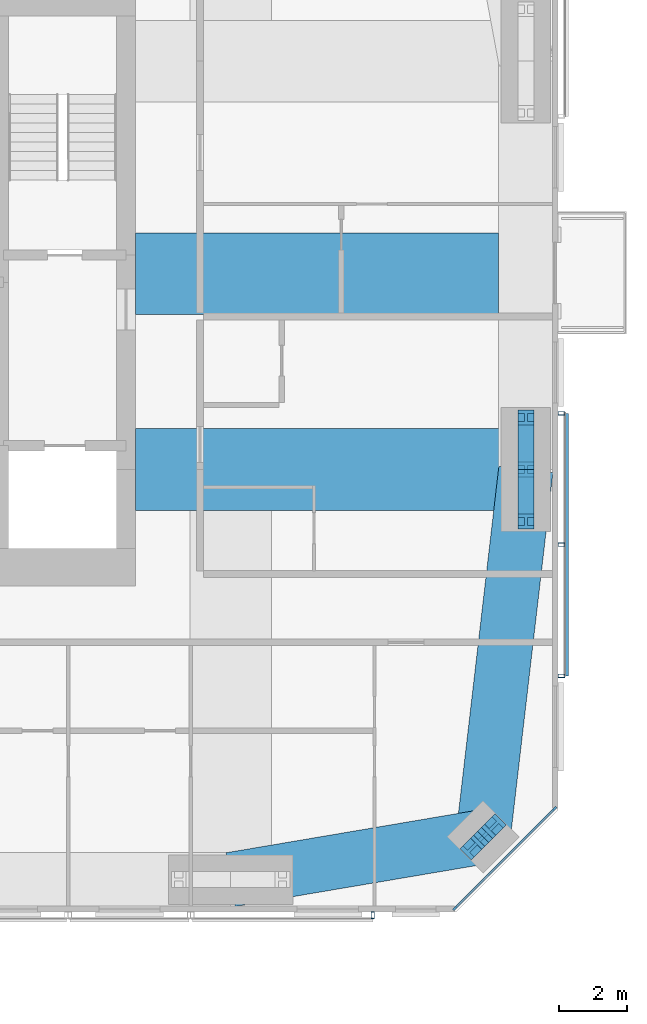
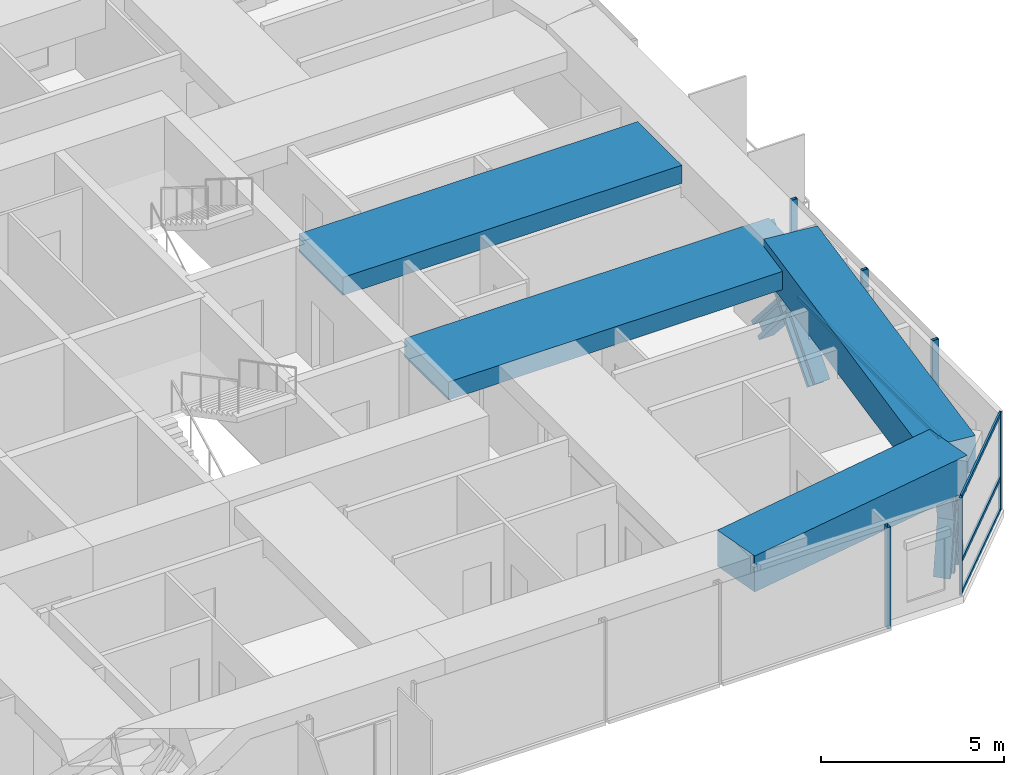
# One storey, part 7 of 18: 18 members, 4 beams, 3 elements without a shape of their own.
"""IFC4 building model written with IfcOpenShell, lengths in metres."""

from ifc_helpers import new_model, si_unit, direction, frame, origin, origin_2d, place, context, subcontext, project, spatial, rectangle, hollow_rectangle, i_section, extrude, material, material_profile, profile_set, type_object, element, aggregate, save


model = new_model("IFC4")

# Units and contexts
model_context = context("Model", 3, precision=1e-05, world=origin(), true_north=direction((0.0, 1.0)))
body_context = subcontext(model_context, "Body", "Model", "MODEL_VIEW")
ifc_project = project(units=[si_unit("LENGTHUNIT", "METRE"), si_unit("AREAUNIT", "SQUARE_METRE"), si_unit("VOLUMEUNIT", "CUBIC_METRE"), si_unit("PLANEANGLEUNIT", "RADIAN"), si_unit("MASSUNIT", "GRAM", prefix="KILO")], contexts=[model_context])

# Site, building, storey
site_placement = place(None, origin())
site = spatial("IfcSite", under=ifc_project, at=site_placement, CompositionType="ELEMENT")
building_placement = place(site_placement, origin())
building = spatial("IfcBuilding", under=site, at=building_placement, Name="Jalousie Tower", CompositionType="ELEMENT")
storey_placement = place(building_placement, frame((0.0, 0.0, 235.449951171875)))
storey = spatial("IfcBuildingStorey", under=building, at=storey_placement, Name="L64", CompositionType="ELEMENT", Elevation=235.449951171875)

# Curtain wall, members
ifc_material_1 = material(Name="Aluminium curtain wall", Category="aluminium")
curtain_wall_type_1 = type_object("IfcCurtainWallType", Name="CORNER WINDOW WALL", PredefinedType="USERDEFINED", material=ifc_material_1)
curtain_wall_1_placement = place(storey_placement, origin())
curtain_wall_1 = element("IfcCurtainWall", 1, at=curtain_wall_1_placement, inside=storey, type_object=curtain_wall_type_1, Name="Corner Window Wall L64 2", ObjectType="CORNER WINDOW WALL", PredefinedType="USERDEFINED")
ifc_material_2 = material(Name="Aluminium mullion", Category="aluminium")
ifc_material_profile_1 = material_profile(ifc_material_2, rectangle(XDim=0.06005859375, YDim=0.14990234375, at=origin_2d()), Name="MULLION 60x150")
ifc_profile_set_1 = profile_set([ifc_material_profile_1], Name="Aluminium mullion")
member_type_1 = type_object("IfcMemberType", Name="CORNER WINDOW WALL MULLION", PredefinedType="MULLION", material=ifc_profile_set_1)
member_1_placement = place(storey_placement, frame((53.469970703125, 0.108642578125, 0.0), z_axis=(0.0, 0.0, 1.0), x_axis=(-0.707106781187, 0.707106781187, 0.0)))
member_1 = element("IfcMember", 2, at=member_1_placement, type_object=member_type_1, Name="CW-C mullion 1", PredefinedType="MULLION", context=body_context, shape_type="SweptSolid", body=[
    extrude(rectangle(XDim=0.06005859375, YDim=0.14990234375, at=origin_2d()), origin(), (0.0, 0.0, 1.0), 3.260009765625),
])
member_2_placement = place(storey_placement, frame((56.391357421875, 3.030029296875, 0.0), z_axis=(0.0, 0.0, 1.0), x_axis=(-0.707106781187, 0.707106781187, 0.0)))
member_2 = element("IfcMember", 3, at=member_2_placement, type_object=member_type_1, Name="CW-C mullion 2", PredefinedType="MULLION", context=body_context, shape_type="SweptSolid", body=[
    extrude(rectangle(XDim=0.06005859375, YDim=0.14990234375, at=origin_2d()), origin(), (0.0, 0.0, 1.0), 3.260009765625),
])
ifc_material_3 = material(Name="Aluminium transom", Category="aluminium")
ifc_material_profile_2 = material_profile(ifc_material_3, rectangle(XDim=0.06005859375, YDim=0.1201171875, at=origin_2d()), Name="TRANSOM 60x120")
ifc_profile_set_2 = profile_set([ifc_material_profile_2], Name="Aluminium transom")
member_type_2 = type_object("IfcMemberType", Name="CORNER WINDOW WALL TRANSOM", PredefinedType="USERDEFINED", material=ifc_profile_set_2)
member_3_placement = place(storey_placement, frame((53.4912109375, 0.1298828125, 0.030029296875), z_axis=(0.707106781187, 0.707106781187, 0.0), x_axis=(-0.707106781187, 0.707106781187, 0.0)))
member_3 = element("IfcMember", 4, at=member_3_placement, type_object=member_type_2, Name="CW-C transom 1.1", ObjectType="TRANSOM", PredefinedType="USERDEFINED", context=body_context, shape_type="SweptSolid", body=[
    extrude(rectangle(XDim=0.06005859375, YDim=0.1201171875, at=origin_2d()), origin(), (0.0, 0.0, 1.0), 4.0712890625),
])
member_4_placement = place(storey_placement, frame((53.4912109375, 0.1298828125, 1.10009765625), z_axis=(0.707106781187, 0.707106781187, 0.0), x_axis=(-0.707106781187, 0.707106781187, 0.0)))
member_4 = element("IfcMember", 5, at=member_4_placement, type_object=member_type_2, Name="CW-C transom 1.2", ObjectType="TRANSOM", PredefinedType="USERDEFINED", context=body_context, shape_type="SweptSolid", body=[
    extrude(rectangle(XDim=0.06005859375, YDim=0.1201171875, at=origin_2d()), origin(), (0.0, 0.0, 1.0), 4.0712890625),
])
member_5_placement = place(storey_placement, frame((53.4912109375, 0.1298828125, 3.22998046875), z_axis=(0.707106781187, 0.707106781187, 0.0), x_axis=(-0.707106781187, 0.707106781187, 0.0)))
member_5 = element("IfcMember", 6, at=member_5_placement, type_object=member_type_2, Name="CW-C transom 1.3", ObjectType="TRANSOM", PredefinedType="USERDEFINED", context=body_context, shape_type="SweptSolid", body=[
    extrude(rectangle(XDim=0.06005859375, YDim=0.1201171875, at=origin_2d()), origin(), (0.0, 0.0, 1.0), 4.0712890625),
])
aggregate(curtain_wall_1, [member_1, member_2, member_3, member_4, member_5])

# Members
ifc_material_4 = material(Name="Steel ASTM A992 Grade 50", Category="steel")
ifc_material_profile_3 = material_profile(ifc_material_4, i_section(OverallWidth=0.472412109375, OverallDepth=0.5791015625, WebThickness=0.094970703125, FlangeThickness=0.1298828125, at=origin_2d()), Name="W14X808")
ifc_profile_set_3 = profile_set([ifc_material_profile_3], Name="Steel ASTM A992 Grade 50")
member_type_3 = type_object("IfcMemberType", Name="PERIMETER BRACE W14X808", PredefinedType="BRACE", material=ifc_profile_set_3)
for number, where, z_axis, x_axis, name in (
    (7, (53.974609375, 1.888916015625, -0.599853515625), (0.17618653952, 0.176051427143, 0.968485517854), (-0.706835495285, 0.707377963048, 0.0), "Perimeter brace 05 L64 part 1"),
    (8, (54.29296875, 2.20703125, 1.150146484375), (0.176051427143, 0.17618653952, 0.968485517854), (-0.707377963048, 0.706835495285, 0.0), "Perimeter brace 05 L64 part 2"),
    (9, (54.611083984375, 2.525390625, -0.599853515625), (-0.176051427143, -0.17618653952, 0.968485517854), (0.707377963048, -0.706835495285, 0.0), "Perimeter brace 05 L64 part 3"),
    (10, (54.29296875, 2.20703125, 1.150146484375), (-0.17618653952, -0.176051427143, 0.968485517854), (0.706835495285, -0.707377963048, 0.0), "Perimeter brace 05 L64 part 4"),
):
    element("IfcMember", number, at=place(storey_placement, frame(where, z_axis=z_axis, x_axis=x_axis)), inside=storey, type_object=member_type_3, Name=name, PredefinedType="BRACE", context=body_context, shape_type="SweptSolid", body=[
        extrude(i_section(OverallWidth=0.472412109375, OverallDepth=0.5791015625, WebThickness=0.094970703125, FlangeThickness=0.1298828125, at=origin_2d()), origin(), (0.0, 0.0, 1.0), 1.806884765625),
    ])
for number, where, z_axis, x_axis, name in (
    (11, (55.550048828125, 11.47509765625, -0.599853515625), (0.0, 0.65695436777, 0.753930340726), (-1.0, 0.0, 0.0), "Perimeter brace 06 L64 part 1"),
    (12, (55.550048828125, 13.0, 1.150146484375), (0.0, 0.65695436777, 0.753930340726), (-1.0, 0.0, 0.0), "Perimeter brace 06 L64 part 2"),
    (13, (55.550048828125, 14.52490234375, -0.599853515625), (0.0, -0.65695436777, 0.753930340726), (1.0, 0.0, 0.0), "Perimeter brace 06 L64 part 3"),
    (14, (55.550048828125, 13.0, 1.150146484375), (0.0, -0.65695436777, 0.753930340726), (1.0, 0.0, 0.0), "Perimeter brace 06 L64 part 4"),
):
    element("IfcMember", number, at=place(storey_placement, frame(where, z_axis=z_axis, x_axis=x_axis)), inside=storey, type_object=member_type_3, Name=name, PredefinedType="BRACE", context=body_context, shape_type="SweptSolid", body=[
        extrude(i_section(OverallWidth=0.472412109375, OverallDepth=0.5791015625, WebThickness=0.094970703125, FlangeThickness=0.1298828125, at=origin_2d()), origin(), (0.0, 0.0, 1.0), 2.3212890625),
    ])

# Beams
ifc_material_5 = material(Name="Concrete f'c 40 MPa", Category="concrete")
ifc_material_profile_4 = material_profile(ifc_material_5, rectangle(XDim=1.60009765625, YDim=1.199951171875, at=origin_2d()), Name="RC 1600x1200")
ifc_profile_set_4 = profile_set([ifc_material_profile_4], Name="Concrete f'c 40 MPa")
beam_type_1 = type_object("IfcBeamType", Name="RC BEAM 1600x1200", PredefinedType="BEAM", material=ifc_profile_set_4)
beam_1_placement = place(storey_placement, frame((46.875, 0.949951171875, 2.900146484375), z_axis=(0.985942997446, 0.167082033105, 0.0), x_axis=(-0.167082033105, 0.985942997446, 0.0)))
element("IfcBeam", 15, at=beam_1_placement, inside=storey, type_object=beam_type_1, Name="Edge band beam 04-05 under L65", PredefinedType="BEAM", context=body_context, shape_type="SweptSolid", body=[
    extrude(rectangle(XDim=1.60009765625, YDim=1.199951171875, at=origin_2d()), origin(), (0.0, 0.0, 1.0), 7.523681640625),
])
beam_2_placement = place(storey_placement, frame((54.29296875, 2.20703125, 2.900146484375), z_axis=(0.115690063472, 0.993285361421, 0.0), x_axis=(-0.993285361421, 0.115690063472, 0.0)))
element("IfcBeam", 16, at=beam_2_placement, inside=storey, type_object=beam_type_1, Name="Edge band beam 05-06 under L65", PredefinedType="BEAM", context=body_context, shape_type="SweptSolid", body=[
    extrude(rectangle(XDim=1.60009765625, YDim=1.199951171875, at=origin_2d()), origin(), (0.0, 0.0, 1.0), 10.865966796875),
])
ifc_material_6 = material(Name="Concrete f'c 40 MPa", Category="concrete")
ifc_material_profile_5 = material_profile(ifc_material_6, rectangle(XDim=2.39990234375, YDim=0.60009765625, at=origin_2d()), Name="RC 2400x600")
ifc_profile_set_5 = profile_set([ifc_material_profile_5], Name="Concrete f'c 40 MPa")
beam_type_2 = type_object("IfcBeamType", Name="RC BEAM 2400x600", PredefinedType="BEAM", material=ifc_profile_set_5)
beam_3_placement = place(storey_placement, frame((55.550048828125, 13.0, 2.9599609375), z_axis=(-1.0, 0.0, 0.0), x_axis=(0.0, -1.0, 0.0)))
element("IfcBeam", 17, at=beam_3_placement, inside=storey, type_object=beam_type_2, Name="Floor band beam under L65", PredefinedType="BEAM", context=body_context, shape_type="SweptSolid", body=[
    extrude(rectangle(XDim=2.39990234375, YDim=0.60009765625, at=origin_2d()), origin(), (0.0, 0.0, 1.0), 11.47509765625),
])
beam_4_placement = place(storey_placement, frame((44.074951171875, 18.75, 2.9599609375), z_axis=(1.0, 0.0, 0.0), x_axis=(0.0, 1.0, 0.0)))
element("IfcBeam", 18, at=beam_4_placement, inside=storey, type_object=beam_type_2, Name="Floor band beam under L65", PredefinedType="BEAM", context=body_context, shape_type="SweptSolid", body=[
    extrude(rectangle(XDim=2.39990234375, YDim=0.60009765625, at=origin_2d()), origin(), (0.0, 0.0, 1.0), 10.675048828125),
])

# Curtain wall, member
ifc_material_7 = material(Name="Perforated aluminium sheet", Category="aluminium")
curtain_wall_type_2 = type_object("IfcCurtainWallType", Name="SOLAR SCREEN SS-2", PredefinedType="USERDEFINED", material=ifc_material_7)
curtain_wall_2_placement = place(storey_placement, origin())
curtain_wall_2 = element("IfcCurtainWall", 19, at=curtain_wall_2_placement, inside=storey, type_object=curtain_wall_type_2, Name="Solar screen L64", ObjectType="SOLAR SCREEN SS-2", PredefinedType="USERDEFINED")
ifc_material_8 = material(Name="Steel ASTM A500 Grade C", Category="steel")
ifc_material_profile_6 = material_profile(ifc_material_8, hollow_rectangle(XDim=0.1015625, YDim=0.203125, WallThickness=0.0078125, at=origin_2d()), Name="HSS8X4X5/16")
ifc_profile_set_6 = profile_set([ifc_material_profile_6], Name="Steel ASTM A500 Grade C")
member_type_4 = type_object("IfcMemberType", Name="SOLAR SCREEN SS-2 MULLION", PredefinedType="MULLION", material=ifc_profile_set_6)
member_6_placement = place(storey_placement, frame((51.050048828125, -0.0966796875, -0.119873046875), z_axis=(0.0, 0.0, 1.0), x_axis=(1.0, 0.0, 0.0)))
member_6 = element("IfcMember", 20, at=member_6_placement, type_object=member_type_4, Name="SS2 post 2", PredefinedType="MULLION", context=body_context, shape_type="SweptSolid", body=[
    extrude(hollow_rectangle(XDim=0.1015625, YDim=0.203125, WallThickness=0.0078125, at=origin_2d()), origin(), (0.0, 0.0, 1.0), 3.3798828125),
])
aggregate(curtain_wall_2, [member_6])

# Curtain wall, members
curtain_wall_3_placement = place(storey_placement, origin())
curtain_wall_3 = element("IfcCurtainWall", 21, at=curtain_wall_3_placement, inside=storey, type_object=curtain_wall_type_2, Name="Solar screen L64", ObjectType="SOLAR SCREEN SS-2", PredefinedType="USERDEFINED")
member_7_placement = place(storey_placement, frame((56.5966796875, 6.938232421875, -0.119873046875), z_axis=(0.0, 0.0, 1.0), x_axis=(0.0, 1.0, 0.0)))
member_7 = element("IfcMember", 22, at=member_7_placement, type_object=member_type_4, Name="SS2 post 1", PredefinedType="MULLION", context=body_context, shape_type="SweptSolid", body=[
    extrude(hollow_rectangle(XDim=0.1015625, YDim=0.203125, WallThickness=0.0078125, at=origin_2d()), origin(), (0.0, 0.0, 1.0), 3.3798828125),
])
member_8_placement = place(storey_placement, frame((56.5966796875, 10.79345703125, -0.119873046875), z_axis=(0.0, 0.0, 1.0), x_axis=(0.0, 1.0, 0.0)))
member_8 = element("IfcMember", 23, at=member_8_placement, type_object=member_type_4, Name="SS2 post 2", PredefinedType="MULLION", context=body_context, shape_type="SweptSolid", body=[
    extrude(hollow_rectangle(XDim=0.1015625, YDim=0.203125, WallThickness=0.0078125, at=origin_2d()), origin(), (0.0, 0.0, 1.0), 3.3798828125),
])
member_9_placement = place(storey_placement, frame((56.5966796875, 14.6484375, -0.119873046875), z_axis=(0.0, 0.0, 1.0), x_axis=(0.0, 1.0, 0.0)))
member_9 = element("IfcMember", 24, at=member_9_placement, type_object=member_type_4, Name="SS2 post 3", PredefinedType="MULLION", context=body_context, shape_type="SweptSolid", body=[
    extrude(hollow_rectangle(XDim=0.1015625, YDim=0.203125, WallThickness=0.0078125, at=origin_2d()), origin(), (0.0, 0.0, 1.0), 3.3798828125),
])
ifc_material_9 = material(Name="Extruded aluminium screen rail", Category="aluminium")
ifc_material_profile_7 = material_profile(ifc_material_9, rectangle(XDim=0.1015625, YDim=0.1201171875, at=origin_2d()), Name="RAIL 102x120")
ifc_profile_set_7 = profile_set([ifc_material_profile_7], Name="Extruded aluminium screen rail")
member_type_5 = type_object("IfcMemberType", Name="SOLAR SCREEN SS-2 TRANSOM", PredefinedType="USERDEFINED", material=ifc_profile_set_7)
member_10_placement = place(storey_placement, frame((56.7490234375, 6.938232421875, -0.06005859375), z_axis=(0.0, 1.0, 0.0), x_axis=(-1.0, 0.0, 0.0)))
member_10 = element("IfcMember", 25, at=member_10_placement, type_object=member_type_5, Name="SS2 rail", ObjectType="TRANSOM", PredefinedType="USERDEFINED", context=body_context, shape_type="SweptSolid", body=[
    extrude(rectangle(XDim=0.1015625, YDim=0.1201171875, at=origin_2d()), origin(), (0.0, 0.0, 1.0), 7.710205078125),
])
aggregate(curtain_wall_3, [member_7, member_8, member_9, member_10])

save(model, "model.ifc")
